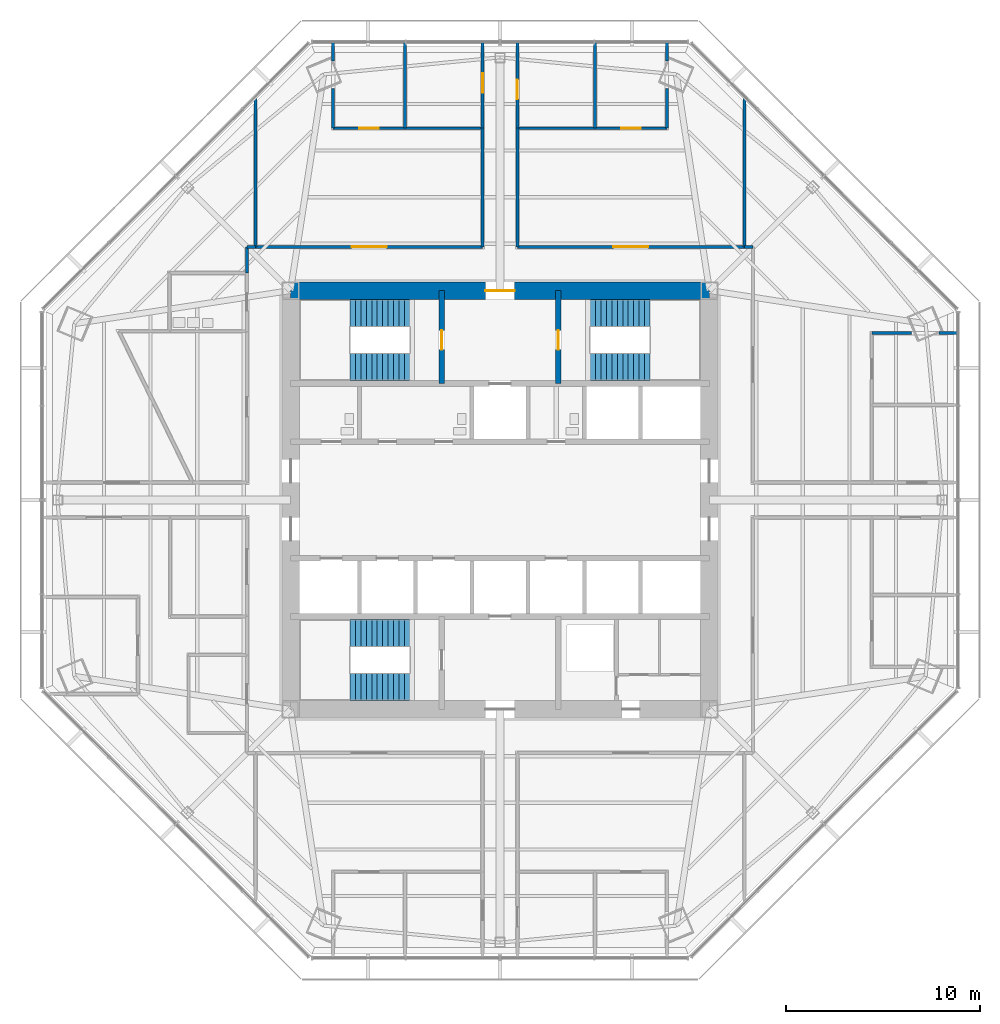
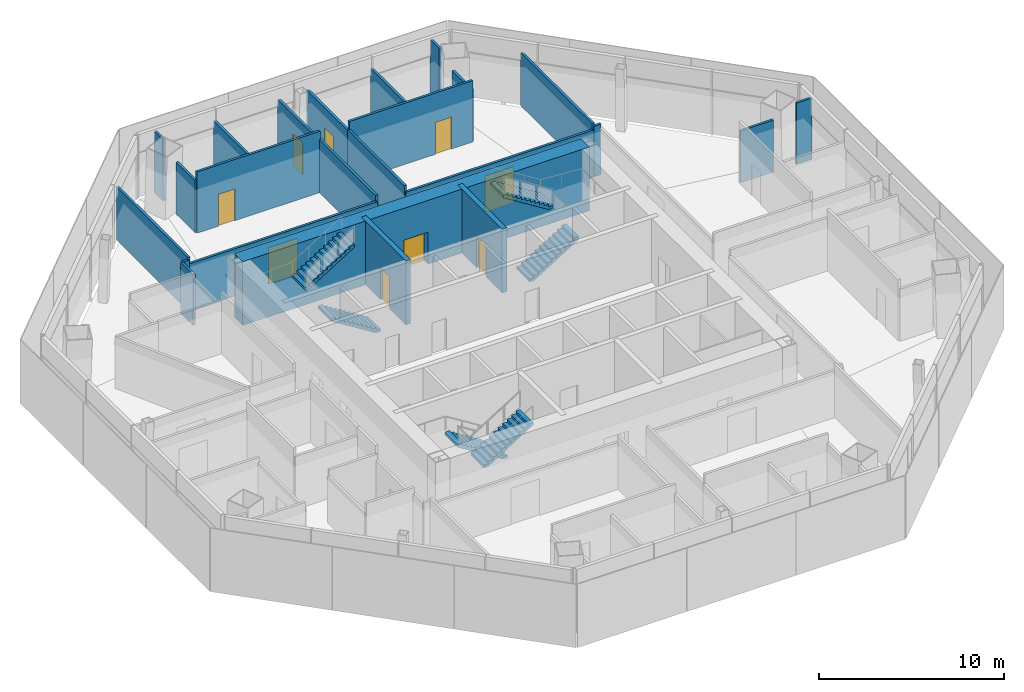
# One storey, part 11 of 15: 24 walls, 9 doors, 6 stair flights, 9 openings, 3 elements without a shape of their own.
"""IFC4 building model written with IfcOpenShell, lengths in metres."""

from ifc_helpers import new_model, si_unit, direction, frame, frame_2d, origin, place, context, subcontext, project, spatial, polyline, rectangle, outline, extrude, material, layer, layer_set, type_object, element, fill, aggregate, save


model = new_model("IFC4")

# Units and contexts
model_context = context("Model", 3, precision=1e-05, world=origin(), true_north=direction((0.0, 1.0)))
body_context = subcontext(model_context, "Body", "Model", "MODEL_VIEW")
ifc_project = project(units=[si_unit("LENGTHUNIT", "METRE"), si_unit("AREAUNIT", "SQUARE_METRE"), si_unit("VOLUMEUNIT", "CUBIC_METRE"), si_unit("PLANEANGLEUNIT", "RADIAN"), si_unit("MASSUNIT", "GRAM", prefix="KILO")], contexts=[model_context])

# Site, building, storey
site_placement = place(None, origin())
site = spatial("IfcSite", under=ifc_project, at=site_placement, CompositionType="ELEMENT")
building_placement = place(site_placement, origin())
building = spatial("IfcBuilding", under=site, at=building_placement, Name="Mashrafa Tower", CompositionType="ELEMENT")
storey_placement = place(building_placement, frame((0.0, 0.0, 155.39990234375)))
storey = spatial("IfcBuildingStorey", under=building, at=storey_placement, Name="L35", CompositionType="ELEMENT", Elevation=155.39990234375)

# Wall, opening, door
ifc_material_1 = material(Name="Concrete C60/75", Category="concrete")
ifc_layer_1 = layer(ifc_material_1, 0.300048828125)
ifc_layer_set_1 = layer_set([ifc_layer_1], Name="Core wall 300 C60/75")
wall_type_1 = type_object("IfcWallType", Name="Core wall 300 C60/75", PredefinedType="SOLIDWALL", material=ifc_layer_set_1)
wall_1_placement = place(storey_placement, frame((-3.0, 6.0, 0.0), z_axis=(0.0, 0.0, 1.0), x_axis=(0.0, 1.0, 0.0)))
wall_1 = element("IfcWall", 1, at=wall_1_placement, inside=storey, type_object=wall_type_1, Name="Core wall CX-NW L35", PredefinedType="SOLIDWALL", context=body_context, shape_type="SweptSolid", body=[
    extrude(rectangle(XDim=4.800048828125, YDim=0.300048828125, at=frame_2d((2.39990234375, 0.0))), origin(), (0.0, 0.0, 1.0), 4.2001953125),
])
opening_1_placement = place(wall_1_placement, frame((1.75, 0.0, 0.0)))
opening_1 = element("IfcOpeningElement", 2, at=opening_1_placement, cuts=wall_1, Name="Opening 35.032", PredefinedType="OPENING", context=body_context, shape_type="SweptSolid", body=[
    extrude(rectangle(XDim=1.0, YDim=2.10009765625, at=frame_2d((0.5, 1.050048828125))), frame((0.0, 0.159912109375, 0.0), z_axis=(0.0, -1.0, 0.0), x_axis=(1.0, 0.0, 0.0)), (0.0, 0.0, 1.0), 0.320068359375),
])
ifc_material_2 = material(Name="Steel door", Category="steel")
door_type_1 = type_object("IfcDoorType", Name="Stair door 1000 x 2100 90 min", OperationType="USERDEFINED", PredefinedType="DOOR", material=ifc_material_2)
door_1_placement = place(opening_1_placement, origin())
door_1 = element("IfcDoor", 3, at=door_1_placement, inside=storey, type_object=door_type_1, Name="Stair S1 door L35", OperationType="SINGLE_SWING_LEFT", OverallHeight=2.10009765625, OverallWidth=1.0, PredefinedType="DOOR", context=body_context, shape_type="SweptSolid", body=[
    extrude(rectangle(XDim=1.0, YDim=2.10009765625, at=frame_2d((0.5, 1.050048828125))), frame((0.0, 0.02490234375, 0.0), z_axis=(0.0, -1.0, 0.0), x_axis=(1.0, 0.0, 0.0)), (0.0, 0.0, 1.0), 0.050048828125),
])
fill(opening_1, door_1)

wall_2_placement = place(storey_placement, frame((3.0, 6.0, 0.0), z_axis=(0.0, 0.0, 1.0), x_axis=(0.0, 1.0, 0.0)))
wall_2 = element("IfcWall", 4, at=wall_2_placement, inside=storey, type_object=wall_type_1, Name="Core wall CX-NE L35", PredefinedType="SOLIDWALL", context=body_context, shape_type="SweptSolid", body=[
    extrude(rectangle(XDim=4.800048828125, YDim=0.300048828125, at=frame_2d((2.39990234375, 0.0))), origin(), (0.0, 0.0, 1.0), 4.2001953125),
])
opening_2_placement = place(wall_2_placement, frame((1.75, 0.0, 0.0)))
opening_2 = element("IfcOpeningElement", 5, at=opening_2_placement, cuts=wall_2, Name="Opening 35.033", PredefinedType="OPENING", context=body_context, shape_type="SweptSolid", body=[
    extrude(rectangle(XDim=1.0, YDim=2.10009765625, at=frame_2d((0.5, 1.050048828125))), frame((0.0, 0.159912109375, 0.0), z_axis=(0.0, -1.0, 0.0), x_axis=(1.0, 0.0, 0.0)), (0.0, 0.0, 1.0), 0.320068359375),
])
door_2_placement = place(opening_2_placement, frame((1.0, 0.0, 0.0), z_axis=(0.0, 0.0, 1.0), x_axis=(-1.0, 0.0, 0.0)))
door_2 = element("IfcDoor", 6, at=door_2_placement, inside=storey, type_object=door_type_1, Name="Stair S2 door L35", OperationType="SINGLE_SWING_RIGHT", OverallHeight=2.10009765625, OverallWidth=1.0, PredefinedType="DOOR", context=body_context, shape_type="SweptSolid", body=[
    extrude(rectangle(XDim=1.0, YDim=2.10009765625, at=frame_2d((0.5, 1.050048828125))), frame((0.0, 0.02490234375, 0.0), z_axis=(0.0, -1.0, 0.0), x_axis=(1.0, 0.0, 0.0)), (0.0, 0.0, 1.0), 0.050048828125),
])
fill(opening_2, door_2)

ifc_material_3 = material(Name="Concrete C60/75", Category="concrete")
ifc_layer_2 = layer(ifc_material_3, 0.89990234375)
ifc_layer_set_2 = layer_set([ifc_layer_2], Name="Core wall 900 C60/75")
wall_type_2 = type_object("IfcWallType", Name="Core wall 900 C60/75", PredefinedType="SOLIDWALL", material=ifc_layer_set_2)
wall_3_placement = place(storey_placement, frame((10.800048828125, 10.800048828125, 0.0), z_axis=(0.0, 0.0, 1.0), x_axis=(-1.0, 0.0, 0.0)))
wall_3 = element("IfcWall", 7, at=wall_3_placement, inside=storey, type_object=wall_type_2, Name="Core wall CW-N L35", PredefinedType="SOLIDWALL", context=body_context, shape_type="SweptSolid", body=[
    extrude(rectangle(XDim=21.60009765625, YDim=0.89990234375, at=frame_2d((10.800048828125, 0.0))), origin(), (0.0, 0.0, 1.0), 4.2001953125),
])
opening_3_placement = place(wall_3_placement, frame((10.050048828125, 0.0, 0.0)))
opening_3 = element("IfcOpeningElement", 8, at=opening_3_placement, cuts=wall_3, Name="Opening 35.030", PredefinedType="OPENING", context=body_context, shape_type="SweptSolid", body=[
    extrude(rectangle(XDim=1.5, YDim=2.10009765625, at=frame_2d((0.75, 1.050048828125))), frame((0.0, 0.4599609375, 0.0), z_axis=(0.0, -1.0, 0.0), x_axis=(1.0, 0.0, 0.0)), (0.0, 0.0, 1.0), 0.919921875),
])
ifc_material_4 = material(Name="Steel door", Category="steel")
door_type_2 = type_object("IfcDoorType", Name="Lobby door pair 1500 x 2100 90 min", OperationType="DOUBLE_DOOR_SINGLE_SWING", PredefinedType="DOOR", material=ifc_material_4)
door_3_placement = place(opening_3_placement, origin())
door_3 = element("IfcDoor", 9, at=door_3_placement, inside=storey, type_object=door_type_2, Name="Fire-fighting lobby F1 door L35", OperationType="DOUBLE_DOOR_SINGLE_SWING", OverallHeight=2.10009765625, OverallWidth=1.5, PredefinedType="DOOR", context=body_context, shape_type="SweptSolid", body=[
    extrude(rectangle(XDim=1.5, YDim=2.10009765625, at=frame_2d((0.75, 1.050048828125))), frame((0.0, 0.02490234375, 0.0), z_axis=(0.0, -1.0, 0.0), x_axis=(1.0, 0.0, 0.0)), (0.0, 0.0, 1.0), 0.050048828125),
])
fill(opening_3, door_3)

ifc_material_5 = material(Name="Gypsum board on steel studs", Category="steel")
ifc_layer_3 = layer(ifc_material_5, 0.14990234375)
ifc_layer_set_3 = layer_set([ifc_layer_3], Name="Corridor partition 150 1 hr")
wall_type_3 = type_object("IfcWallType", Name="Corridor partition 150 1 hr", PredefinedType="PARTITIONING", material=ifc_layer_set_3)
wall_4_placement = place(storey_placement, frame((-0.89990234375, 23.602783203125, 0.0), z_axis=(0.0, 0.0, 1.0), x_axis=(0.0, -1.0, 0.0)))
wall_4 = element("IfcWall", 10, at=wall_4_placement, inside=storey, type_object=wall_type_3, Name="Corridor wall L35-006", PredefinedType="PARTITIONING", context=body_context, shape_type="SweptSolid", body=[
    extrude(rectangle(XDim=4.43505859375, YDim=0.14990234375, at=frame_2d((2.217529296875, 0.0))), origin(), (0.0, 0.0, 1.0), 3.423095703125),
])
opening_4_placement = place(wall_4_placement, frame((1.599609375, 0.0, 0.0)))
opening_4 = element("IfcOpeningElement", 11, at=opening_4_placement, cuts=wall_4, Name="Opening 35.007", PredefinedType="OPENING", context=body_context, shape_type="SweptSolid", body=[
    extrude(rectangle(XDim=1.0, YDim=2.10009765625, at=frame_2d((0.5, 1.050048828125))), frame((0.0, 0.0849609375, 0.0), z_axis=(0.0, -1.0, 0.0), x_axis=(1.0, 0.0, 0.0)), (0.0, 0.0, 1.0), 0.169921875),
])
ifc_material_6 = material(Name="Timber door", Category="wood")
door_type_3 = type_object("IfcDoorType", Name="Door 1000 x 2100", OperationType="USERDEFINED", PredefinedType="DOOR", material=ifc_material_6)
door_4_placement = place(opening_4_placement, frame((1.0, 0.0, 0.0), z_axis=(0.0, 0.0, 1.0), x_axis=(-1.0, 0.0, 0.0)))
door_4 = element("IfcDoor", 12, at=door_4_placement, inside=storey, type_object=door_type_3, Name="Serviced Office 35-NA-1 door", OperationType="SINGLE_SWING_RIGHT", OverallHeight=2.10009765625, OverallWidth=1.0, PredefinedType="DOOR", context=body_context, shape_type="SweptSolid", body=[
    extrude(rectangle(XDim=1.0, YDim=2.10009765625, at=frame_2d((0.5, 1.050048828125))), frame((0.0, 0.02490234375, 0.0), z_axis=(0.0, -1.0, 0.0), x_axis=(1.0, 0.0, 0.0)), (0.0, 0.0, 1.0), 0.050048828125),
])
fill(opening_4, door_4)

wall_5_placement = place(storey_placement, frame((0.89990234375, 19.167724609375, 0.0), z_axis=(0.0, 0.0, 1.0), x_axis=(0.0, 1.0, 0.0)))
wall_5 = element("IfcWall", 13, at=wall_5_placement, inside=storey, type_object=wall_type_3, Name="Corridor wall L35-007", PredefinedType="PARTITIONING", context=body_context, shape_type="SweptSolid", body=[
    extrude(rectangle(XDim=4.43505859375, YDim=0.14990234375, at=frame_2d((2.217529296875, 0.0))), origin(), (0.0, 0.0, 1.0), 3.423095703125),
])
opening_5_placement = place(wall_5_placement, frame((1.50048828125, 0.0, 0.0)))
opening_5 = element("IfcOpeningElement", 14, at=opening_5_placement, cuts=wall_5, Name="Opening 35.010", PredefinedType="OPENING", context=body_context, shape_type="SweptSolid", body=[
    extrude(rectangle(XDim=1.0, YDim=2.10009765625, at=frame_2d((0.5, 1.050048828125))), frame((0.0, 0.0849609375, 0.0), z_axis=(0.0, -1.0, 0.0), x_axis=(1.0, 0.0, 0.0)), (0.0, 0.0, 1.0), 0.169921875),
])
door_5_placement = place(opening_5_placement, frame((1.0, 0.0, 0.0), z_axis=(0.0, 0.0, 1.0), x_axis=(-1.0, 0.0, 0.0)))
door_5 = element("IfcDoor", 15, at=door_5_placement, inside=storey, type_object=door_type_3, Name="Serviced Office 35-NB-2 door", OperationType="SINGLE_SWING_RIGHT", OverallHeight=2.10009765625, OverallWidth=1.0, PredefinedType="DOOR", context=body_context, shape_type="SweptSolid", body=[
    extrude(rectangle(XDim=1.0, YDim=2.10009765625, at=frame_2d((0.5, 1.050048828125))), frame((0.0, 0.02490234375, 0.0), z_axis=(0.0, -1.0, 0.0), x_axis=(1.0, 0.0, 0.0)), (0.0, 0.0, 1.0), 0.050048828125),
])
fill(opening_5, door_5)

# Wall
wall_6_placement = place(storey_placement, frame((13.050048828125, 13.050048828125, 0.0), z_axis=(0.0, 0.0, 1.0), x_axis=(-1.0, 0.0, 0.0)))
element("IfcWall", 16, at=wall_6_placement, inside=storey, type_object=wall_type_3, Name="Corridor wall L35-015", PredefinedType="PARTITIONING", context=body_context, shape_type="SweptSolid", body=[
    extrude(rectangle(XDim=0.450927734375, YDim=0.14990234375, at=frame_2d((0.2255859375, 0.0))), origin(), (0.0, 0.0, 1.0), 3.331787109375),
])

# Wall, opening, door
wall_7_placement = place(storey_placement, frame((12.60107421875, 13.050048828125, 0.0), z_axis=(0.0, 0.0, 1.0), x_axis=(-1.0, 0.0, 0.0)))
wall_7 = element("IfcWall", 17, at=wall_7_placement, inside=storey, type_object=wall_type_3, Name="Corridor wall L35-016", PredefinedType="PARTITIONING", context=body_context, shape_type="SweptSolid", body=[
    extrude(rectangle(XDim=11.701171875, YDim=0.14990234375, at=frame_2d((5.8505859375, 0.0))), origin(), (0.0, 0.0, 1.0), 3.097900390625),
])
opening_6_placement = place(wall_7_placement, frame((4.950439453125, 0.0, 0.0)))
opening_6 = element("IfcOpeningElement", 18, at=opening_6_placement, cuts=wall_7, Name="Opening 35.019", PredefinedType="OPENING", context=body_context, shape_type="SweptSolid", body=[
    extrude(rectangle(XDim=1.800048828125, YDim=2.39990234375, at=frame_2d((0.89990234375, 1.199951171875))), frame((0.0, 0.0849609375, 0.0), z_axis=(0.0, -1.0, 0.0), x_axis=(1.0, 0.0, 0.0)), (0.0, 0.0, 1.0), 0.169921875),
])
ifc_material_7 = material(Name="Timber door", Category="wood")
door_type_4 = type_object("IfcDoorType", Name="Door pair 1800 x 2400", OperationType="DOUBLE_DOOR_SINGLE_SWING", PredefinedType="DOOR", material=ifc_material_7)
door_6_placement = place(opening_6_placement, origin())
door_6 = element("IfcDoor", 19, at=door_6_placement, inside=storey, type_object=door_type_4, Name="Business Centre Lounge 35-NE2 door", OperationType="DOUBLE_DOOR_SINGLE_SWING", OverallHeight=2.39990234375, OverallWidth=1.800048828125, PredefinedType="DOOR", context=body_context, shape_type="SweptSolid", body=[
    extrude(rectangle(XDim=1.800048828125, YDim=2.39990234375, at=frame_2d((0.89990234375, 1.199951171875))), frame((0.0, 0.02490234375, 0.0), z_axis=(0.0, -1.0, 0.0), x_axis=(1.0, 0.0, 0.0)), (0.0, 0.0, 1.0), 0.050048828125),
])
fill(opening_6, door_6)

# Walls
wall_8_placement = place(storey_placement, frame((0.89990234375, 13.050048828125, 0.0), z_axis=(0.0, 0.0, 1.0), x_axis=(0.0, 1.0, 0.0)))
element("IfcWall", 20, at=wall_8_placement, inside=storey, type_object=wall_type_3, Name="Corridor wall L35-017", PredefinedType="PARTITIONING", context=body_context, shape_type="SweptSolid", body=[
    extrude(rectangle(XDim=6.11962890625, YDim=0.14990234375, at=frame_2d((3.059814453125, 0.0))), origin(), (0.0, 0.0, 1.0), 3.49169921875),
])
wall_9_placement = place(storey_placement, frame((-12.59912109375, 13.050048828125, 0.0), z_axis=(0.0, 0.0, 1.0), x_axis=(-1.0, 0.0, 0.0)))
element("IfcWall", 21, at=wall_9_placement, inside=storey, type_object=wall_type_3, Name="Corridor wall L35-019", PredefinedType="PARTITIONING", context=body_context, shape_type="SweptSolid", body=[
    extrude(rectangle(XDim=0.450927734375, YDim=0.14990234375, at=frame_2d((0.2255859375, 0.0))), origin(), (0.0, 0.0, 1.0), 3.331787109375),
])
wall_10_placement = place(storey_placement, frame((-13.050048828125, 13.050048828125, 0.0), z_axis=(0.0, 0.0, 1.0), x_axis=(0.0, -1.0, 0.0)))
element("IfcWall", 22, at=wall_10_placement, inside=storey, type_object=wall_type_3, Name="Corridor wall L35-020", PredefinedType="PARTITIONING", context=body_context, shape_type="SweptSolid", body=[
    extrude(rectangle(XDim=1.35107421875, YDim=0.14990234375, at=frame_2d((0.675537109375, 0.0))), origin(), (0.0, 0.0, 1.0), 3.331787109375),
])
wall_11_placement = place(storey_placement, frame((-0.89990234375, 19.169677734375, 0.0), z_axis=(0.0, 0.0, 1.0), x_axis=(0.0, -1.0, 0.0)))
element("IfcWall", 23, at=wall_11_placement, inside=storey, type_object=wall_type_3, Name="Corridor wall L35-021", PredefinedType="PARTITIONING", context=body_context, shape_type="SweptSolid", body=[
    extrude(rectangle(XDim=6.11962890625, YDim=0.14990234375, at=frame_2d((3.059814453125, 0.0))), origin(), (0.0, 0.0, 1.0), 3.49169921875),
])

# Wall, opening, door
wall_12_placement = place(storey_placement, frame((-0.89990234375, 13.050048828125, 0.0), z_axis=(0.0, 0.0, 1.0), x_axis=(-1.0, 0.0, 0.0)))
wall_12 = element("IfcWall", 24, at=wall_12_placement, inside=storey, type_object=wall_type_3, Name="Corridor wall L35-022", PredefinedType="PARTITIONING", context=body_context, shape_type="SweptSolid", body=[
    extrude(rectangle(XDim=11.701171875, YDim=0.14990234375, at=frame_2d((5.8505859375, 0.0))), origin(), (0.0, 0.0, 1.0), 3.097900390625),
])
opening_7_placement = place(wall_12_placement, frame((4.950439453125, 0.0, 0.0)))
opening_7 = element("IfcOpeningElement", 25, at=opening_7_placement, cuts=wall_12, Name="Opening 35.021", PredefinedType="OPENING", context=body_context, shape_type="SweptSolid", body=[
    extrude(rectangle(XDim=1.800048828125, YDim=2.39990234375, at=frame_2d((0.89990234375, 1.199951171875))), frame((0.0, 0.0849609375, 0.0), z_axis=(0.0, -1.0, 0.0), x_axis=(1.0, 0.0, 0.0)), (0.0, 0.0, 1.0), 0.169921875),
])
door_7_placement = place(opening_7_placement, origin())
door_7 = element("IfcDoor", 26, at=door_7_placement, inside=storey, type_object=door_type_4, Name="Business Centre Lounge 35-NW2 door", OperationType="DOUBLE_DOOR_SINGLE_SWING", OverallHeight=2.39990234375, OverallWidth=1.800048828125, PredefinedType="DOOR", context=body_context, shape_type="SweptSolid", body=[
    extrude(rectangle(XDim=1.800048828125, YDim=2.39990234375, at=frame_2d((0.89990234375, 1.199951171875))), frame((0.0, 0.02490234375, 0.0), z_axis=(0.0, -1.0, 0.0), x_axis=(1.0, 0.0, 0.0)), (0.0, 0.0, 1.0), 0.050048828125),
])
fill(opening_7, door_7)

# Walls
ifc_material_8 = material(Name="Gypsum board on steel studs", Category="steel")
ifc_layer_4 = layer(ifc_material_8, 0.14990234375)
ifc_layer_set_4 = layer_set([ifc_layer_4], Name="Partition 150")
wall_type_4 = type_object("IfcWallType", Name="Partition 150", PredefinedType="PARTITIONING", material=ifc_layer_set_4)
wall_13_placement = place(storey_placement, frame((23.6005859375, 8.60009765625, 0.0), z_axis=(0.0, 0.0, 1.0), x_axis=(-1.0, 0.0, 0.0)))
element("IfcWall", 27, at=wall_13_placement, inside=storey, type_object=wall_type_4, Name="Partition wall L35-041", PredefinedType="PARTITIONING", context=body_context, shape_type="SweptSolid", body=[
    extrude(rectangle(XDim=0.95947265625, YDim=0.14990234375, at=frame_2d((0.479736328125, 0.0))), origin(), (0.0, 0.0, 1.0), 4.03515625),
])
wall_14_placement = place(storey_placement, frame((21.224853515625, 8.60009765625, 0.0), z_axis=(0.0, 0.0, 1.0), x_axis=(-1.0, 0.0, 0.0)))
element("IfcWall", 28, at=wall_14_placement, inside=storey, type_object=wall_type_4, Name="Partition wall L35-042", PredefinedType="PARTITIONING", context=body_context, shape_type="SweptSolid", body=[
    extrude(rectangle(XDim=2.05615234375, YDim=0.14990234375, at=frame_2d((1.028076171875, 0.0))), origin(), (0.0, 0.0, 1.0), 3.423095703125),
])
wall_15_placement = place(storey_placement, frame((-4.89990234375, 23.6005859375, 0.0), z_axis=(0.0, 0.0, 1.0), x_axis=(0.0, -1.0, 0.0)))
element("IfcWall", 29, at=wall_15_placement, inside=storey, type_object=wall_type_4, Name="Partition wall L35-049", PredefinedType="PARTITIONING", context=body_context, shape_type="SweptSolid", body=[
    extrude(rectangle(XDim=4.431884765625, YDim=0.14990234375, at=frame_2d((2.2158203125, 0.0))), origin(), (0.0, 0.0, 1.0), 3.423095703125),
])

# Wall, opening, door
wall_16_placement = place(storey_placement, frame((-0.89990234375, 19.168701171875, 0.0), z_axis=(0.0, 0.0, 1.0), x_axis=(-1.0, 0.0, 0.0)))
wall_16 = element("IfcWall", 30, at=wall_16_placement, inside=storey, type_object=wall_type_4, Name="Partition wall L35-050", PredefinedType="PARTITIONING", context=body_context, shape_type="SweptSolid", body=[
    extrude(rectangle(XDim=7.7001953125, YDim=0.14990234375, at=frame_2d((3.85009765625, 0.0))), origin(), (0.0, 0.0, 1.0), 4.03515625),
])
opening_8_placement = place(wall_16_placement, frame((5.35009765625, 0.0, 0.0)))
opening_8 = element("IfcOpeningElement", 31, at=opening_8_placement, cuts=wall_16, Name="Opening 35.008", PredefinedType="OPENING", context=body_context, shape_type="SweptSolid", body=[
    extrude(rectangle(XDim=1.0, YDim=2.10009765625, at=frame_2d((0.5, 1.050048828125))), frame((0.0, 0.0849609375, 0.0), z_axis=(0.0, -1.0, 0.0), x_axis=(1.0, 0.0, 0.0)), (0.0, 0.0, 1.0), 0.169921875),
])
door_8_placement = place(opening_8_placement, frame((1.0, 0.0, 0.0), z_axis=(0.0, 0.0, 1.0), x_axis=(-1.0, 0.0, 0.0)))
door_8 = element("IfcDoor", 32, at=door_8_placement, inside=storey, type_object=door_type_3, Name="Serviced Office 35-NW2 door", OperationType="SINGLE_SWING_RIGHT", OverallHeight=2.10009765625, OverallWidth=1.0, PredefinedType="DOOR", context=body_context, shape_type="SweptSolid", body=[
    extrude(rectangle(XDim=1.0, YDim=2.10009765625, at=frame_2d((0.5, 1.050048828125))), frame((0.0, 0.02490234375, 0.0), z_axis=(0.0, -1.0, 0.0), x_axis=(1.0, 0.0, 0.0)), (0.0, 0.0, 1.0), 0.050048828125),
])
fill(opening_8, door_8)

# Walls
wall_17_placement = place(storey_placement, frame((-8.60009765625, 23.6005859375, 0.0), z_axis=(0.0, 0.0, 1.0), x_axis=(0.0, -1.0, 0.0)))
element("IfcWall", 33, at=wall_17_placement, inside=storey, type_object=wall_type_4, Name="Partition wall L35-051", PredefinedType="PARTITIONING", context=body_context, shape_type="SweptSolid", body=[
    extrude(rectangle(XDim=0.95947265625, YDim=0.14990234375, at=frame_2d((0.479736328125, 0.0))), origin(), (0.0, 0.0, 1.0), 4.03515625),
])
wall_18_placement = place(storey_placement, frame((-8.60009765625, 21.224853515625, 0.0), z_axis=(0.0, 0.0, 1.0), x_axis=(0.0, -1.0, 0.0)))
element("IfcWall", 34, at=wall_18_placement, inside=storey, type_object=wall_type_4, Name="Partition wall L35-052", PredefinedType="PARTITIONING", context=body_context, shape_type="SweptSolid", body=[
    extrude(rectangle(XDim=2.05615234375, YDim=0.14990234375, at=frame_2d((1.028076171875, 0.0))), origin(), (0.0, 0.0, 1.0), 3.423095703125),
])
wall_19_placement = place(storey_placement, frame((4.89990234375, 23.6005859375, 0.0), z_axis=(0.0, 0.0, 1.0), x_axis=(0.0, -1.0, 0.0)))
element("IfcWall", 35, at=wall_19_placement, inside=storey, type_object=wall_type_4, Name="Partition wall L35-054", PredefinedType="PARTITIONING", context=body_context, shape_type="SweptSolid", body=[
    extrude(rectangle(XDim=4.431884765625, YDim=0.14990234375, at=frame_2d((2.2158203125, 0.0))), origin(), (0.0, 0.0, 1.0), 3.423095703125),
])

# Wall, opening, door
wall_20_placement = place(storey_placement, frame((8.60009765625, 19.168701171875, 0.0), z_axis=(0.0, 0.0, 1.0), x_axis=(-1.0, 0.0, 0.0)))
wall_20 = element("IfcWall", 36, at=wall_20_placement, inside=storey, type_object=wall_type_4, Name="Partition wall L35-055", PredefinedType="PARTITIONING", context=body_context, shape_type="SweptSolid", body=[
    extrude(rectangle(XDim=7.7001953125, YDim=0.14990234375, at=frame_2d((3.85009765625, 0.0))), origin(), (0.0, 0.0, 1.0), 4.03515625),
])
opening_9_placement = place(wall_20_placement, frame((1.35009765625, 0.0, 0.0)))
opening_9 = element("IfcOpeningElement", 37, at=opening_9_placement, cuts=wall_20, Name="Opening 35.009", PredefinedType="OPENING", context=body_context, shape_type="SweptSolid", body=[
    extrude(rectangle(XDim=1.0, YDim=2.10009765625, at=frame_2d((0.5, 1.050048828125))), frame((0.0, 0.0849609375, 0.0), z_axis=(0.0, -1.0, 0.0), x_axis=(1.0, 0.0, 0.0)), (0.0, 0.0, 1.0), 0.169921875),
])
door_9_placement = place(opening_9_placement, frame((1.0, 0.0, 0.0), z_axis=(0.0, 0.0, 1.0), x_axis=(-1.0, 0.0, 0.0)))
door_9 = element("IfcDoor", 38, at=door_9_placement, inside=storey, type_object=door_type_3, Name="Serviced Office 35-NE2 door", OperationType="SINGLE_SWING_RIGHT", OverallHeight=2.10009765625, OverallWidth=1.0, PredefinedType="DOOR", context=body_context, shape_type="SweptSolid", body=[
    extrude(rectangle(XDim=1.0, YDim=2.10009765625, at=frame_2d((0.5, 1.050048828125))), frame((0.0, 0.02490234375, 0.0), z_axis=(0.0, -1.0, 0.0), x_axis=(1.0, 0.0, 0.0)), (0.0, 0.0, 1.0), 0.050048828125),
])
fill(opening_9, door_9)

# Walls
wall_21_placement = place(storey_placement, frame((8.60009765625, 19.168701171875, 0.0), z_axis=(0.0, 0.0, 1.0), x_axis=(0.0, 1.0, 0.0)))
element("IfcWall", 39, at=wall_21_placement, inside=storey, type_object=wall_type_4, Name="Partition wall L35-056", PredefinedType="PARTITIONING", context=body_context, shape_type="SweptSolid", body=[
    extrude(rectangle(XDim=2.05615234375, YDim=0.14990234375, at=frame_2d((1.028076171875, 0.0))), origin(), (0.0, 0.0, 1.0), 3.423095703125),
])
wall_22_placement = place(storey_placement, frame((8.60009765625, 22.64111328125, 0.0), z_axis=(0.0, 0.0, 1.0), x_axis=(0.0, 1.0, 0.0)))
element("IfcWall", 40, at=wall_22_placement, inside=storey, type_object=wall_type_4, Name="Partition wall L35-057", PredefinedType="PARTITIONING", context=body_context, shape_type="SweptSolid", body=[
    extrude(rectangle(XDim=0.95947265625, YDim=0.14990234375, at=frame_2d((0.479736328125, 0.0))), origin(), (0.0, 0.0, 1.0), 4.03515625),
])
for number, where, z_axis, x_axis, name in (
    (41, (12.60009765625, 20.778076171875, 0.0), (0.0, 0.0, 1.0), (0.0, -1.0, 0.0), "Partition wall L35-078"),
    (42, (-12.60009765625, 13.050048828125, 0.0), (0.0, 0.0, 1.0), (0.0, 1.0, 0.0), "Partition wall L35-079"),
):
    element("IfcWall", number, at=place(storey_placement, frame(where, z_axis=z_axis, x_axis=x_axis)), inside=storey, type_object=wall_type_4, Name=name, PredefinedType="PARTITIONING", context=body_context, shape_type="SweptSolid", body=[
        extrude(rectangle(XDim=7.72802734375, YDim=0.14990234375, at=frame_2d((3.864013671875, 0.0))), origin(), (0.0, 0.0, 1.0), 3.499267578125),
    ])

# Stair, stair flights
ifc_material_9 = material(Name="Exit stair 1400")
stair_type = type_object("IfcStairType", Name="Exit stair 1400", PredefinedType="HALF_TURN_STAIR", material=ifc_material_9)
stair_1_placement = place(storey_placement, origin())
stair_1 = element("IfcStair", 43, at=stair_1_placement, inside=storey, type_object=stair_type, Name="Stair S1 L35", PredefinedType="HALF_TURN_STAIR")
ifc_material_10 = material(Name="Concrete C32/40", Category="concrete")
stair_flight_type = type_object("IfcStairFlightType", Name="Stair flight 1400", PredefinedType="STRAIGHT", material=ifc_material_10)
stair_flight_1_placement = place(storey_placement, frame((-4.64990234375, 6.85009765625, 0.0), z_axis=(0.0, 0.0, 1.0), x_axis=(-1.0, 0.0, 0.0)))
stair_flight_1 = element("IfcStairFlight", 44, at=stair_flight_1_placement, type_object=stair_flight_type, Name="S1 flight 1", NumberOfRisers=12, NumberOfTreads=11, PredefinedType="STRAIGHT", RiserHeight=0.175, TreadLength=0.28, context=body_context, shape_type="SweptSolid", body=[
    extrude(outline(polyline([(0.0, 0.0), (0.0, 0.175048828125), (0.280029296875, 0.175048828125), (0.280029296875, 0.35009765625), (0.56005859375, 0.35009765625), (0.56005859375, 0.52490234375), (0.840087890625, 0.52490234375), (0.840087890625, 0.699951171875), (1.1201171875, 0.699951171875), (1.1201171875, 0.875), (1.39990234375, 0.875), (1.39990234375, 1.050048828125), (1.679931640625, 1.050048828125), (1.679931640625, 1.22509765625), (1.9599609375, 1.22509765625), (1.9599609375, 1.39990234375), (2.239990234375, 1.39990234375), (2.239990234375, 1.574951171875), (2.52001953125, 1.574951171875), (2.52001953125, 1.75), (2.800048828125, 1.75), (2.800048828125, 1.925048828125), (3.080078125, 1.925048828125), (3.080078125, 2.10009765625), (3.080078125, 1.748291015625), (0.28271484375, 0.0), (0.0, 0.0)])), frame((0.0, 0.699951171875, 0.0), z_axis=(0.0, -1.0, 0.0), x_axis=(1.0, 0.0, 0.0)), (0.0, 0.0, 1.0), 1.39990234375),
])
stair_flight_2_placement = place(storey_placement, frame((-7.72998046875, 9.64990234375, 2.10009765625), z_axis=(0.0, 0.0, 1.0), x_axis=(1.0, 0.0, 0.0)))
stair_flight_2 = element("IfcStairFlight", 45, at=stair_flight_2_placement, type_object=stair_flight_type, Name="S1 flight 2", NumberOfRisers=12, NumberOfTreads=11, PredefinedType="STRAIGHT", RiserHeight=0.175, TreadLength=0.28, context=body_context, shape_type="SweptSolid", body=[
    extrude(outline(polyline([(0.0, 0.0), (0.0, 0.175048828125), (0.280029296875, 0.175048828125), (0.280029296875, 0.35009765625), (0.56005859375, 0.35009765625), (0.56005859375, 0.52490234375), (0.840087890625, 0.52490234375), (0.840087890625, 0.699951171875), (1.1201171875, 0.699951171875), (1.1201171875, 0.875), (1.39990234375, 0.875), (1.39990234375, 1.050048828125), (1.679931640625, 1.050048828125), (1.679931640625, 1.22509765625), (1.9599609375, 1.22509765625), (1.9599609375, 1.39990234375), (2.239990234375, 1.39990234375), (2.239990234375, 1.574951171875), (2.52001953125, 1.574951171875), (2.52001953125, 1.75), (2.800048828125, 1.75), (2.800048828125, 1.925048828125), (3.080078125, 1.925048828125), (3.080078125, 2.10009765625), (3.080078125, 1.748291015625), (0.28271484375, 0.0), (0.0, 0.0)])), frame((0.0, 0.699951171875, 0.0), z_axis=(0.0, -1.0, 0.0), x_axis=(1.0, 0.0, 0.0)), (0.0, 0.0, 1.0), 1.39990234375),
])
aggregate(stair_1, [stair_flight_1, stair_flight_2])

stair_2_placement = place(storey_placement, origin())
stair_2 = element("IfcStair", 46, at=stair_2_placement, inside=storey, type_object=stair_type, Name="Stair S2 L35", PredefinedType="HALF_TURN_STAIR")
stair_flight_3_placement = place(storey_placement, frame((4.64990234375, 6.85009765625, 0.0), z_axis=(0.0, 0.0, 1.0), x_axis=(1.0, 0.0, 0.0)))
stair_flight_3 = element("IfcStairFlight", 47, at=stair_flight_3_placement, type_object=stair_flight_type, Name="S2 flight 1", NumberOfRisers=12, NumberOfTreads=11, PredefinedType="STRAIGHT", RiserHeight=0.175, TreadLength=0.28, context=body_context, shape_type="SweptSolid", body=[
    extrude(outline(polyline([(0.0, 0.0), (0.0, 0.175048828125), (0.280029296875, 0.175048828125), (0.280029296875, 0.35009765625), (0.56005859375, 0.35009765625), (0.56005859375, 0.52490234375), (0.840087890625, 0.52490234375), (0.840087890625, 0.699951171875), (1.1201171875, 0.699951171875), (1.1201171875, 0.875), (1.39990234375, 0.875), (1.39990234375, 1.050048828125), (1.679931640625, 1.050048828125), (1.679931640625, 1.22509765625), (1.9599609375, 1.22509765625), (1.9599609375, 1.39990234375), (2.239990234375, 1.39990234375), (2.239990234375, 1.574951171875), (2.52001953125, 1.574951171875), (2.52001953125, 1.75), (2.800048828125, 1.75), (2.800048828125, 1.925048828125), (3.080078125, 1.925048828125), (3.080078125, 2.10009765625), (3.080078125, 1.748291015625), (0.28271484375, 0.0), (0.0, 0.0)])), frame((0.0, 0.699951171875, 0.0), z_axis=(0.0, -1.0, 0.0), x_axis=(1.0, 0.0, 0.0)), (0.0, 0.0, 1.0), 1.39990234375),
])
stair_flight_4_placement = place(storey_placement, frame((7.72998046875, 9.64990234375, 2.10009765625), z_axis=(0.0, 0.0, 1.0), x_axis=(-1.0, 0.0, 0.0)))
stair_flight_4 = element("IfcStairFlight", 48, at=stair_flight_4_placement, type_object=stair_flight_type, Name="S2 flight 2", NumberOfRisers=12, NumberOfTreads=11, PredefinedType="STRAIGHT", RiserHeight=0.175, TreadLength=0.28, context=body_context, shape_type="SweptSolid", body=[
    extrude(outline(polyline([(0.0, 0.0), (0.0, 0.175048828125), (0.280029296875, 0.175048828125), (0.280029296875, 0.35009765625), (0.56005859375, 0.35009765625), (0.56005859375, 0.52490234375), (0.840087890625, 0.52490234375), (0.840087890625, 0.699951171875), (1.1201171875, 0.699951171875), (1.1201171875, 0.875), (1.39990234375, 0.875), (1.39990234375, 1.050048828125), (1.679931640625, 1.050048828125), (1.679931640625, 1.22509765625), (1.9599609375, 1.22509765625), (1.9599609375, 1.39990234375), (2.239990234375, 1.39990234375), (2.239990234375, 1.574951171875), (2.52001953125, 1.574951171875), (2.52001953125, 1.75), (2.800048828125, 1.75), (2.800048828125, 1.925048828125), (3.080078125, 1.925048828125), (3.080078125, 2.10009765625), (3.080078125, 1.748291015625), (0.28271484375, 0.0), (0.0, 0.0)])), frame((0.0, 0.699951171875, 0.0), z_axis=(0.0, -1.0, 0.0), x_axis=(1.0, 0.0, 0.0)), (0.0, 0.0, 1.0), 1.39990234375),
])
aggregate(stair_2, [stair_flight_3, stair_flight_4])

stair_3_placement = place(storey_placement, origin())
stair_3 = element("IfcStair", 49, at=stair_3_placement, inside=storey, type_object=stair_type, Name="Stair S3 L35", PredefinedType="HALF_TURN_STAIR")
stair_flight_5_placement = place(storey_placement, frame((-4.64990234375, -6.85009765625, 0.0), z_axis=(0.0, 0.0, 1.0), x_axis=(-1.0, 0.0, 0.0)))
stair_flight_5 = element("IfcStairFlight", 50, at=stair_flight_5_placement, type_object=stair_flight_type, Name="S3 flight 1", NumberOfRisers=12, NumberOfTreads=11, PredefinedType="STRAIGHT", RiserHeight=0.175, TreadLength=0.28, context=body_context, shape_type="SweptSolid", body=[
    extrude(outline(polyline([(0.0, 0.0), (0.0, 0.175048828125), (0.280029296875, 0.175048828125), (0.280029296875, 0.35009765625), (0.56005859375, 0.35009765625), (0.56005859375, 0.52490234375), (0.840087890625, 0.52490234375), (0.840087890625, 0.699951171875), (1.1201171875, 0.699951171875), (1.1201171875, 0.875), (1.39990234375, 0.875), (1.39990234375, 1.050048828125), (1.679931640625, 1.050048828125), (1.679931640625, 1.22509765625), (1.9599609375, 1.22509765625), (1.9599609375, 1.39990234375), (2.239990234375, 1.39990234375), (2.239990234375, 1.574951171875), (2.52001953125, 1.574951171875), (2.52001953125, 1.75), (2.800048828125, 1.75), (2.800048828125, 1.925048828125), (3.080078125, 1.925048828125), (3.080078125, 2.10009765625), (3.080078125, 1.748291015625), (0.28271484375, 0.0), (0.0, 0.0)])), frame((0.0, 0.699951171875, 0.0), z_axis=(0.0, -1.0, 0.0), x_axis=(1.0, 0.0, 0.0)), (0.0, 0.0, 1.0), 1.39990234375),
])
stair_flight_6_placement = place(storey_placement, frame((-7.72998046875, -9.64990234375, 2.10009765625), z_axis=(0.0, 0.0, 1.0), x_axis=(1.0, 0.0, 0.0)))
stair_flight_6 = element("IfcStairFlight", 51, at=stair_flight_6_placement, type_object=stair_flight_type, Name="S3 flight 2", NumberOfRisers=12, NumberOfTreads=11, PredefinedType="STRAIGHT", RiserHeight=0.175, TreadLength=0.28, context=body_context, shape_type="SweptSolid", body=[
    extrude(outline(polyline([(0.0, 0.0), (0.0, 0.175048828125), (0.280029296875, 0.175048828125), (0.280029296875, 0.35009765625), (0.56005859375, 0.35009765625), (0.56005859375, 0.52490234375), (0.840087890625, 0.52490234375), (0.840087890625, 0.699951171875), (1.1201171875, 0.699951171875), (1.1201171875, 0.875), (1.39990234375, 0.875), (1.39990234375, 1.050048828125), (1.679931640625, 1.050048828125), (1.679931640625, 1.22509765625), (1.9599609375, 1.22509765625), (1.9599609375, 1.39990234375), (2.239990234375, 1.39990234375), (2.239990234375, 1.574951171875), (2.52001953125, 1.574951171875), (2.52001953125, 1.75), (2.800048828125, 1.75), (2.800048828125, 1.925048828125), (3.080078125, 1.925048828125), (3.080078125, 2.10009765625), (3.080078125, 1.748291015625), (0.28271484375, 0.0), (0.0, 0.0)])), frame((0.0, 0.699951171875, 0.0), z_axis=(0.0, -1.0, 0.0), x_axis=(1.0, 0.0, 0.0)), (0.0, 0.0, 1.0), 1.39990234375),
])
aggregate(stair_3, [stair_flight_5, stair_flight_6])

save(model, "model.ifc")
